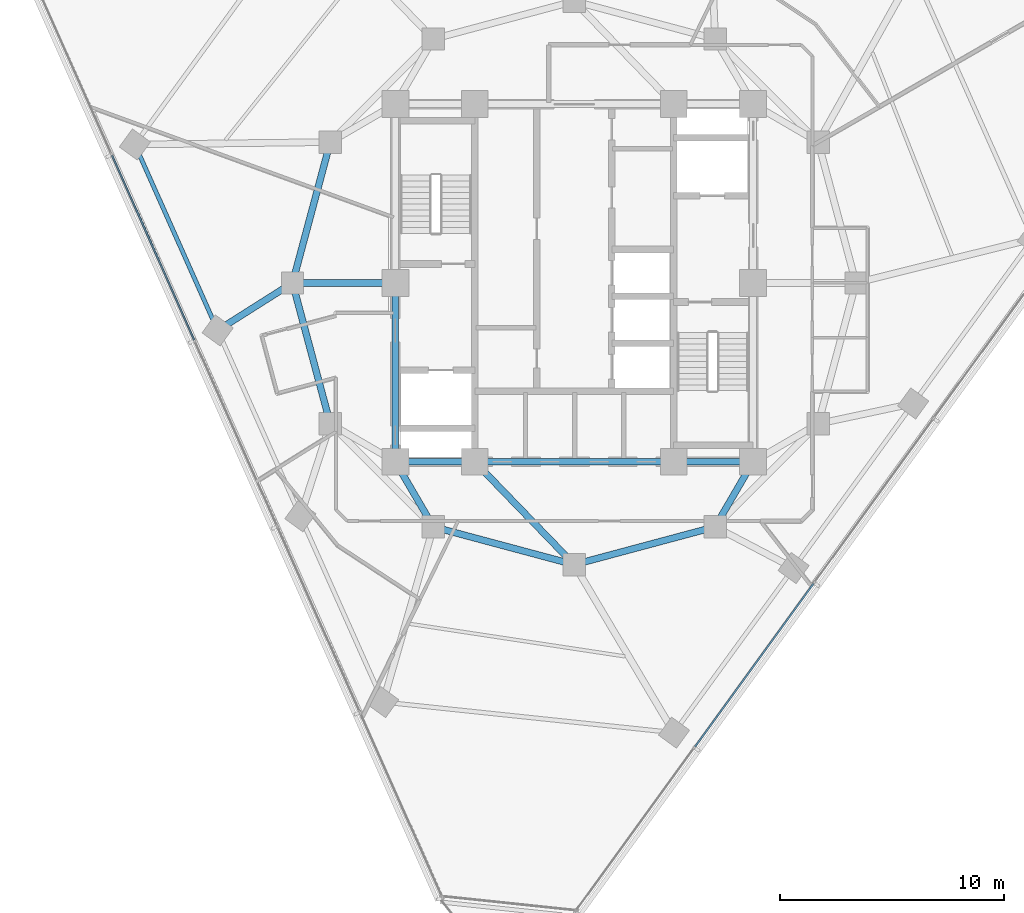
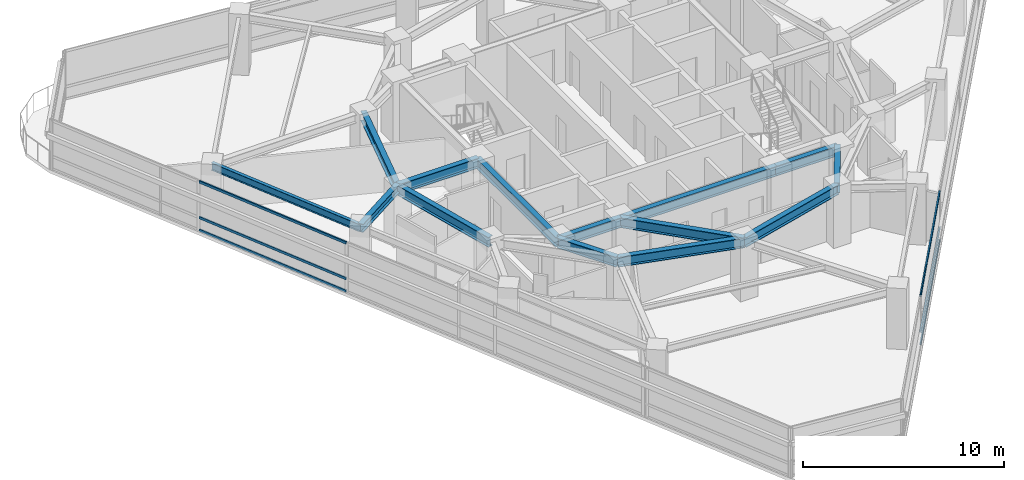
# One storey, part 3 of 14: 14 beams, 6 members, 2 elements without a shape of their own.
"""IFC4 building model written with IfcOpenShell, lengths in metres."""

from ifc_helpers import new_model, si_unit, direction, frame, origin, origin_2d, place, context, subcontext, project, spatial, rectangle, i_section, extrude, material, layer, layer_set, material_profile, profile_set, type_object, element, aggregate, save


model = new_model("IFC4")

# Units and contexts
model_context = context("Model", 3, precision=1e-05, world=origin(), true_north=direction((0.0, 1.0)))
body_context = subcontext(model_context, "Body", "Model", "MODEL_VIEW")
ifc_project = project(units=[si_unit("LENGTHUNIT", "METRE"), si_unit("AREAUNIT", "SQUARE_METRE"), si_unit("VOLUMEUNIT", "CUBIC_METRE"), si_unit("PLANEANGLEUNIT", "RADIAN"), si_unit("MASSUNIT", "GRAM", prefix="KILO")], contexts=[model_context])

# Site, building, storey
site_placement = place(None, origin())
site = spatial("IfcSite", under=ifc_project, at=site_placement, CompositionType="ELEMENT")
building_placement = place(site_placement, origin())
building = spatial("IfcBuilding", under=site, at=building_placement, Name="Terralouvre Media Tower", CompositionType="ELEMENT")
storey_placement = place(building_placement, frame((0.0, 0.0, 241.10009765625)))
storey = spatial("IfcBuildingStorey", under=building, at=storey_placement, Name="L62", CompositionType="ELEMENT", Elevation=241.10009765625)

# Curtain wall, members
ifc_material_1 = material(Name="Low-iron laminated double glazing with solar-control coating", Category="glass")
ifc_layer = layer(ifc_material_1, 0.1650390625, Name="Upper Executive Tower Curtain Wall CW-05")
ifc_layer_set = layer_set([ifc_layer], Name="Low-iron laminated double glazing with solar-control coating")
curtain_wall_type = type_object("IfcCurtainWallType", Name="Upper Executive Tower Curtain Wall CW-05", PredefinedType="NOTDEFINED", material=ifc_layer_set)
curtain_wall_1_placement = place(storey_placement, origin())
curtain_wall_1 = element("IfcCurtainWall", 1, at=curtain_wall_1_placement, inside=storey, type_object=curtain_wall_type, Name="L62 Facade Curtain Wall F0", PredefinedType="NOTDEFINED")
ifc_material_2 = material(Name="Anodised extruded aluminium 6063-T6", Category="aluminium")
ifc_material_profile_1 = material_profile(ifc_material_2, rectangle(XDim=0.074951171875, YDim=0.14990234375, at=origin_2d()), Name="ALU 75x150")
ifc_profile_set_1 = profile_set([ifc_material_profile_1], Name="Anodised extruded aluminium 6063-T6")
member_type = type_object("IfcMemberType", Name="Curtain-Wall Horizontal Transom TR-150", PredefinedType="USERDEFINED", material=ifc_profile_set_1)
member_1_placement = place(storey_placement, frame((5.39990234375, -20.749267578125, 0.037353515625), z_axis=(0.587772727709, 0.809026093869, 0.0), x_axis=(-0.809026093869, 0.587772727709, 0.0)))
member_1 = element("IfcMember", 2, at=member_1_placement, type_object=member_type, Name="CW-05 transom 2.1", ObjectType="TRANSOM", PredefinedType="USERDEFINED", context=body_context, shape_type="SweptSolid", body=[
    extrude(rectangle(XDim=0.074951171875, YDim=0.14990234375, at=origin_2d()), origin(), (0.0, 0.0, 1.0), 9.025146484375),
])
member_2_placement = place(storey_placement, frame((5.39990234375, -20.749267578125, 0.7998046875), z_axis=(0.587772727709, 0.809026093869, 0.0), x_axis=(-0.809026093869, 0.587772727709, 0.0)))
member_2 = element("IfcMember", 3, at=member_2_placement, type_object=member_type, Name="CW-05 transom 2.2", ObjectType="TRANSOM", PredefinedType="USERDEFINED", context=body_context, shape_type="SweptSolid", body=[
    extrude(rectangle(XDim=0.074951171875, YDim=0.14990234375, at=origin_2d()), origin(), (0.0, 0.0, 1.0), 9.025146484375),
])
member_3_placement = place(storey_placement, frame((5.39990234375, -20.749267578125, 2.96240234375), z_axis=(0.587772727709, 0.809026093869, 0.0), x_axis=(-0.809026093869, 0.587772727709, 0.0)))
member_3 = element("IfcMember", 4, at=member_3_placement, type_object=member_type, Name="CW-05 transom 2.3", ObjectType="TRANSOM", PredefinedType="USERDEFINED", context=body_context, shape_type="SweptSolid", body=[
    extrude(rectangle(XDim=0.074951171875, YDim=0.14990234375, at=origin_2d()), origin(), (0.0, 0.0, 1.0), 9.025146484375),
])
aggregate(curtain_wall_1, [member_1, member_2, member_3])

curtain_wall_2_placement = place(storey_placement, origin())
curtain_wall_2 = element("IfcCurtainWall", 5, at=curtain_wall_2_placement, inside=storey, type_object=curtain_wall_type, Name="L62 Facade Curtain Wall F2", PredefinedType="NOTDEFINED")
member_4_placement = place(storey_placement, frame((-20.66943359375, 5.6982421875, 0.037353515625), z_axis=(0.406740753437, -0.913543627581, 0.0), x_axis=(0.913543627581, 0.406740753437, 0.0)))
member_4 = element("IfcMember", 6, at=member_4_placement, type_object=member_type, Name="CW-05 transom 2.1", ObjectType="TRANSOM", PredefinedType="USERDEFINED", context=body_context, shape_type="SweptSolid", body=[
    extrude(rectangle(XDim=0.074951171875, YDim=0.14990234375, at=origin_2d()), origin(), (0.0, 0.0, 1.0), 9.025146484375),
])
member_5_placement = place(storey_placement, frame((-20.66943359375, 5.6982421875, 0.7998046875), z_axis=(0.406740753437, -0.913543627581, 0.0), x_axis=(0.913543627581, 0.406740753437, 0.0)))
member_5 = element("IfcMember", 7, at=member_5_placement, type_object=member_type, Name="CW-05 transom 2.2", ObjectType="TRANSOM", PredefinedType="USERDEFINED", context=body_context, shape_type="SweptSolid", body=[
    extrude(rectangle(XDim=0.074951171875, YDim=0.14990234375, at=origin_2d()), origin(), (0.0, 0.0, 1.0), 9.025146484375),
])
member_6_placement = place(storey_placement, frame((-20.66943359375, 5.6982421875, 2.96240234375), z_axis=(0.406740753437, -0.913543627581, 0.0), x_axis=(0.913543627581, 0.406740753437, 0.0)))
member_6 = element("IfcMember", 8, at=member_6_placement, type_object=member_type, Name="CW-05 transom 2.3", ObjectType="TRANSOM", PredefinedType="USERDEFINED", context=body_context, shape_type="SweptSolid", body=[
    extrude(rectangle(XDim=0.074951171875, YDim=0.14990234375, at=origin_2d()), origin(), (0.0, 0.0, 1.0), 9.025146484375),
])
aggregate(curtain_wall_2, [member_4, member_5, member_6])

# Beams
ifc_material_3 = material(Name="Structural steel S355J2", Category="steel")
ifc_material_profile_2 = material_profile(ifc_material_3, i_section(OverallWidth=0.18994140625, OverallDepth=0.449951171875, WebThickness=0.009521484375, FlangeThickness=0.0146484375, at=origin_2d()), Name="IPE 450")
ifc_profile_set_2 = profile_set([ifc_material_profile_2], Name="Structural steel S355J2")
beam_type_1 = type_object("IfcBeamType", Name="Perimeter Spandrel Beam SPB-450 (IPE 450)", PredefinedType="SPANDREL", material=ifc_profile_set_2)
beam_1_placement = place(storey_placement, frame((-19.65234375, 6.192138671875, 3.27490234375), z_axis=(0.406738273219, -0.913544731854, 0.0), x_axis=(0.913544731854, 0.406738273219, 0.0)))
element("IfcBeam", 9, at=beam_1_placement, inside=storey, type_object=beam_type_1, Name="L62 Framing Beam BM-L62-PR12", PredefinedType="SPANDREL", context=body_context, shape_type="SweptSolid", body=[
    extrude(i_section(OverallWidth=0.18994140625, OverallDepth=0.449951171875, WebThickness=0.009521484375, FlangeThickness=0.0146484375, at=origin_2d()), origin(), (0.0, 0.0, 1.0), 9.100341796875),
])
ifc_material_4 = material(Name="Structural steel S355J2", Category="steel")
ifc_material_profile_3 = material_profile(ifc_material_4, i_section(OverallWidth=0.300048828125, OverallDepth=0.5, WebThickness=0.014404296875, FlangeThickness=0.028076171875, at=origin_2d()), Name="HEB 500")
ifc_profile_set_3 = profile_set([ifc_material_profile_3], Name="Structural steel S355J2")
beam_type_2 = type_object("IfcBeamType", Name="Primary Floor Girder B-HEB500 (HEB 500)", PredefinedType="BEAM", material=ifc_profile_set_3)
beam_2_placement = place(storey_placement, frame((-12.60009765625, 0.0, 3.25), z_axis=(-0.844916454891, -0.534898293373, 0.0), x_axis=(0.534898293373, -0.844916454891, 0.0)))
element("IfcBeam", 10, at=beam_2_placement, inside=storey, type_object=beam_type_2, Name="L62 Framing Beam BM-L62-RD01", PredefinedType="BEAM", context=body_context, shape_type="SweptSolid", body=[
    extrude(i_section(OverallWidth=0.300048828125, OverallDepth=0.5, WebThickness=0.014404296875, FlangeThickness=0.028076171875, at=origin_2d()), origin(), (0.0, 0.0, 1.0), 3.9658203125),
])
ifc_material_5 = material(Name="Structural steel S460M", Category="steel")
ifc_material_profile_4 = material_profile(ifc_material_5, i_section(OverallWidth=0.300048828125, OverallDepth=0.60009765625, WebThickness=0.015380859375, FlangeThickness=0.030029296875, at=origin_2d()), Name="HEB 600")
ifc_profile_set_4 = profile_set([ifc_material_profile_4], Name="Structural steel S460M")
beam_type_3 = type_object("IfcBeamType", Name="Primary Floor Girder B-HEB600 (HEB 600)", PredefinedType="BEAM", material=ifc_profile_set_4)
beam_3_placement = place(storey_placement, frame((-8.0, -8.0, 3.199951171875), z_axis=(1.0, 0.0, 0.0), x_axis=(0.0, 1.0, 0.0)))
element("IfcBeam", 11, at=beam_3_placement, inside=storey, type_object=beam_type_3, Name="L62 Framing Beam BM-L62-CPR01", PredefinedType="BEAM", context=body_context, shape_type="SweptSolid", body=[
    extrude(i_section(OverallWidth=0.300048828125, OverallDepth=0.60009765625, WebThickness=0.015380859375, FlangeThickness=0.030029296875, at=origin_2d()), origin(), (0.0, 0.0, 1.0), 3.550048828125),
])
beam_4_placement = place(storey_placement, frame((-4.449951171875, -8.0, 3.199951171875), z_axis=(1.0, 0.0, 0.0), x_axis=(0.0, 1.0, 0.0)))
element("IfcBeam", 12, at=beam_4_placement, inside=storey, type_object=beam_type_3, Name="L62 Framing Beam BM-L62-CPR02", PredefinedType="BEAM", context=body_context, shape_type="SweptSolid", body=[
    extrude(i_section(OverallWidth=0.300048828125, OverallDepth=0.60009765625, WebThickness=0.015380859375, FlangeThickness=0.030029296875, at=origin_2d()), origin(), (0.0, 0.0, 1.0), 8.89990234375),
])
beam_5_placement = place(storey_placement, frame((4.449951171875, -8.0, 3.199951171875), z_axis=(1.0, 0.0, 0.0), x_axis=(0.0, 1.0, 0.0)))
element("IfcBeam", 13, at=beam_5_placement, inside=storey, type_object=beam_type_3, Name="L62 Framing Beam BM-L62-CPR03", PredefinedType="BEAM", context=body_context, shape_type="SweptSolid", body=[
    extrude(i_section(OverallWidth=0.300048828125, OverallDepth=0.60009765625, WebThickness=0.015380859375, FlangeThickness=0.030029296875, at=origin_2d()), origin(), (0.0, 0.0, 1.0), 3.550048828125),
])
beam_6_placement = place(storey_placement, frame((-8.0, 0.0, 3.199951171875), z_axis=(0.0, -1.0, 0.0), x_axis=(1.0, 0.0, 0.0)))
element("IfcBeam", 14, at=beam_6_placement, inside=storey, type_object=beam_type_3, Name="L62 Framing Beam BM-L62-CPR10", PredefinedType="BEAM", context=body_context, shape_type="SweptSolid", body=[
    extrude(i_section(OverallWidth=0.300048828125, OverallDepth=0.60009765625, WebThickness=0.015380859375, FlangeThickness=0.030029296875, at=origin_2d()), origin(), (0.0, 0.0, 1.0), 8.0),
])
for number, where, z_axis, x_axis, name in (
    (15, (-6.300048828125, -10.911865234375, 3.199951171875), (0.965920481897, -0.258838989821, 0.0), (0.258838989821, 0.965920481897, 0.0), "L62 Framing Beam BM-L62-MR02"),
    (16, (0.0, -12.60009765625, 3.199951171875), (0.965920481897, 0.258838989821, 0.0), (-0.258838989821, 0.965920481897, 0.0), "L62 Framing Beam BM-L62-MR03"),
    (17, (-10.911865234375, 6.300048828125, 3.199951171875), (-0.258838989821, -0.965920481897, 0.0), (0.965920481897, -0.258838989821, 0.0), "L62 Framing Beam BM-L62-MR11"),
    (18, (-12.60009765625, 0.0, 3.199951171875), (0.258838989821, -0.965920481897, 0.0), (0.965920481897, 0.258838989821, 0.0), "L62 Framing Beam BM-L62-MR12"),
):
    element("IfcBeam", number, at=place(storey_placement, frame(where, z_axis=z_axis, x_axis=x_axis)), inside=storey, type_object=beam_type_3, Name=name, PredefinedType="BEAM", context=body_context, shape_type="SweptSolid", body=[
        extrude(i_section(OverallWidth=0.300048828125, OverallDepth=0.60009765625, WebThickness=0.015380859375, FlangeThickness=0.030029296875, at=origin_2d()), origin(), (0.0, 0.0, 1.0), 6.522216796875),
    ])
beam_7_placement = place(storey_placement, frame((-8.0, -8.0, 3.199951171875), z_axis=(0.504172629717, -0.863602894532, 0.0), x_axis=(0.863602894532, 0.504172629717, 0.0)))
element("IfcBeam", 19, at=beam_7_placement, inside=storey, type_object=beam_type_3, Name="L62 Framing Beam BM-L62-CM02", PredefinedType="BEAM", context=body_context, shape_type="SweptSolid", body=[
    extrude(i_section(OverallWidth=0.300048828125, OverallDepth=0.60009765625, WebThickness=0.015380859375, FlangeThickness=0.030029296875, at=origin_2d()), origin(), (0.0, 0.0, 1.0), 3.371826171875),
])
beam_8_placement = place(storey_placement, frame((-4.449951171875, -8.0, 3.199951171875), z_axis=(0.695279715726, -0.718739255155, 0.0), x_axis=(0.718739255155, 0.695279715726, 0.0)))
element("IfcBeam", 20, at=beam_8_placement, inside=storey, type_object=beam_type_3, Name="L62 Framing Beam BM-L62-CM03", PredefinedType="BEAM", context=body_context, shape_type="SweptSolid", body=[
    extrude(i_section(OverallWidth=0.300048828125, OverallDepth=0.60009765625, WebThickness=0.015380859375, FlangeThickness=0.030029296875, at=origin_2d()), origin(), (0.0, 0.0, 1.0), 6.400146484375),
])
beam_9_placement = place(storey_placement, frame((8.0, -8.0, 3.199951171875), z_axis=(-0.504172629717, -0.863602894532, 0.0), x_axis=(0.863602894532, -0.504172629717, 0.0)))
element("IfcBeam", 21, at=beam_9_placement, inside=storey, type_object=beam_type_3, Name="L62 Framing Beam BM-L62-CM04", PredefinedType="BEAM", context=body_context, shape_type="SweptSolid", body=[
    extrude(i_section(OverallWidth=0.300048828125, OverallDepth=0.60009765625, WebThickness=0.015380859375, FlangeThickness=0.030029296875, at=origin_2d()), origin(), (0.0, 0.0, 1.0), 3.371826171875),
])
beam_10_placement = place(storey_placement, frame((-8.0, 0.0, 3.199951171875), z_axis=(-1.0, 0.0, 0.0), x_axis=(0.0, -1.0, 0.0)))
element("IfcBeam", 22, at=beam_10_placement, inside=storey, type_object=beam_type_3, Name="L62 Framing Beam BM-L62-CM12", PredefinedType="BEAM", context=body_context, shape_type="SweptSolid", body=[
    extrude(i_section(OverallWidth=0.300048828125, OverallDepth=0.60009765625, WebThickness=0.015380859375, FlangeThickness=0.030029296875, at=origin_2d()), origin(), (0.0, 0.0, 1.0), 4.60009765625),
])

save(model, "model.ifc")
